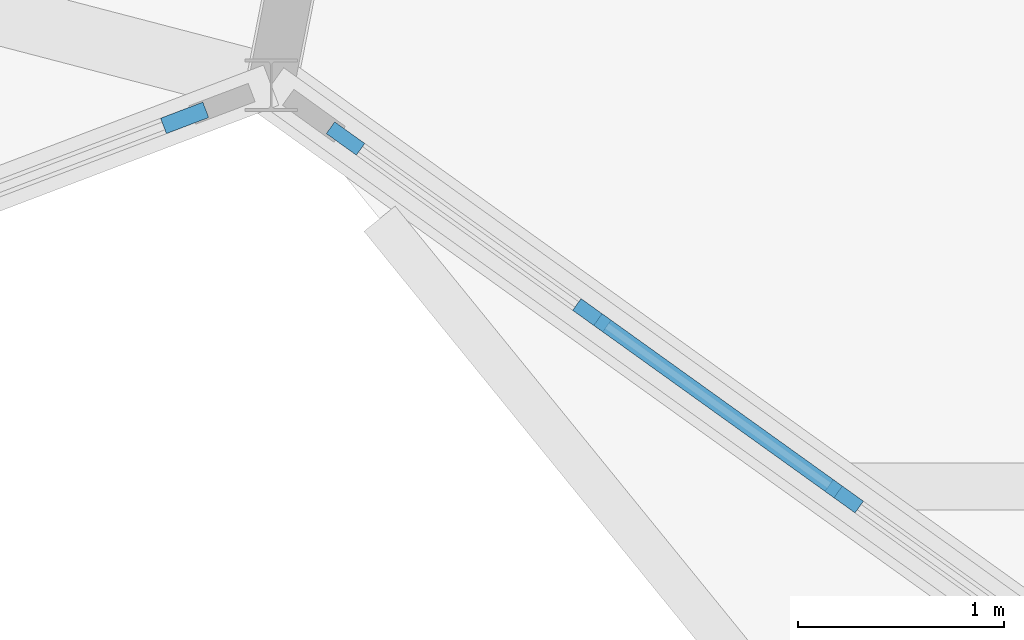
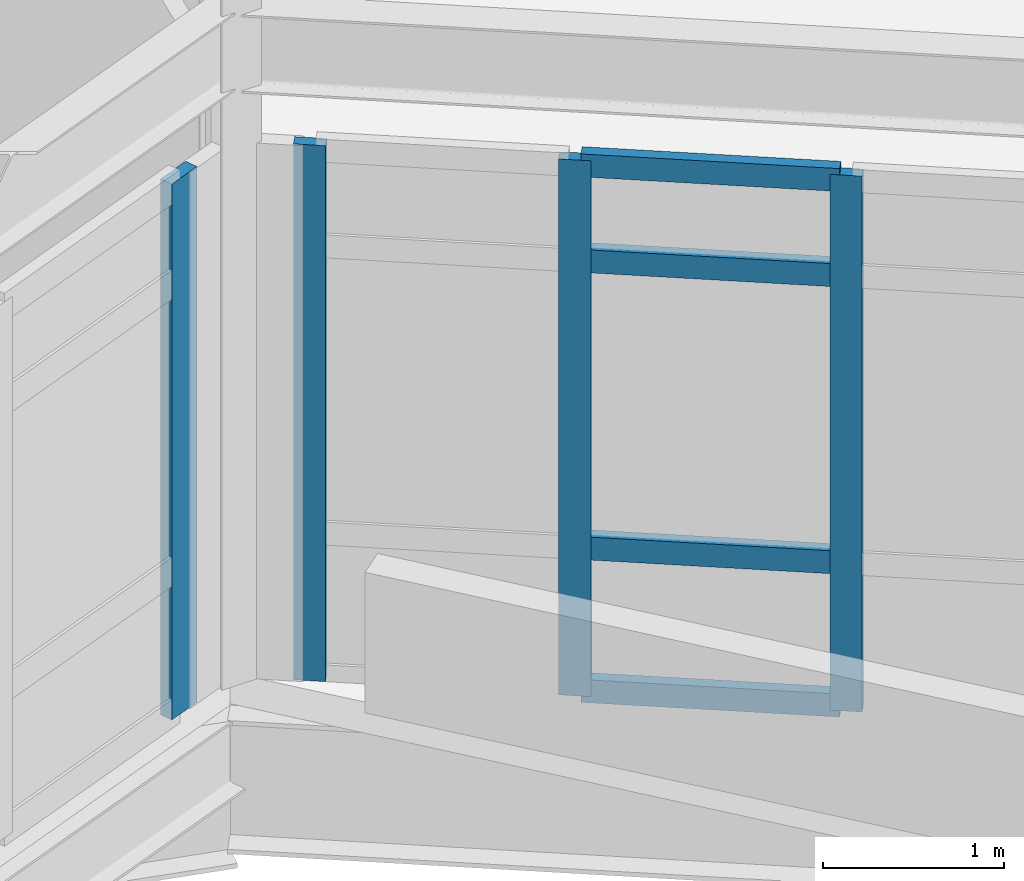
# One storey, part 22 of 76: 8 members, 2 elements without a shape of their own.
"""IFC4 building model written with IfcOpenShell, lengths in metres."""

from ifc_helpers import new_model, si_unit, direction, frame, origin, origin_2d, place, context, subcontext, project, spatial, rectangle, extrude, material, material_profile, profile_set, type_object, element, aggregate, save


model = new_model("IFC4")

# Units and contexts
model_context = context("Model", 3, precision=1e-05, world=origin(), true_north=direction((0.0, 1.0)))
body_context = subcontext(model_context, "Body", "Model", "MODEL_VIEW")
ifc_project = project(units=[si_unit("LENGTHUNIT", "METRE"), si_unit("AREAUNIT", "SQUARE_METRE"), si_unit("VOLUMEUNIT", "CUBIC_METRE"), si_unit("PLANEANGLEUNIT", "RADIAN"), si_unit("MASSUNIT", "GRAM", prefix="KILO")], contexts=[model_context])

# Site, building, storey
site_placement = place(None, origin())
site = spatial("IfcSite", under=ifc_project, at=site_placement, CompositionType="ELEMENT")
building_placement = place(site_placement, origin())
building = spatial("IfcBuilding", under=site, at=building_placement, Name="Tameran Prism Museum", CompositionType="ELEMENT")
storey_placement = place(building_placement, frame((0.0, 0.0, 15.0)))
storey = spatial("IfcBuildingStorey", under=building, at=storey_placement, Name="L03", CompositionType="ELEMENT", Elevation=15.0)

# Curtain wall, members
ifc_material_1 = material(Name="Anodised Aluminium 6063-T6 and Cyclone Solar Glass", Category="aluminium")
curtain_wall_type_1 = type_object("IfcCurtainWallType", Name="CW-FAC-1056x362", PredefinedType="USERDEFINED", material=ifc_material_1)
curtain_wall_1_placement = place(storey_placement, origin())
curtain_wall_1 = element("IfcCurtainWall", 1, at=curtain_wall_1_placement, inside=storey, type_object=curtain_wall_type_1, Name="Unitised Curtain Wall CW-148", ObjectType="UNITISED CURTAIN WALL", PredefinedType="USERDEFINED")
ifc_material_2 = material(Name="Anodised Aluminium Alloy 6063-T6", Category="aluminium")
ifc_material_profile_1 = material_profile(ifc_material_2, rectangle(XDim=0.070068359375, YDim=0.179931640625, at=origin_2d()))
ifc_profile_set_1 = profile_set([ifc_material_profile_1])
member_type_1 = type_object("IfcMemberType", Name="CW-MUL-B", PredefinedType="MULLION", material=ifc_profile_set_1)
member_1_placement = place(storey_placement, frame((123.4853515625, 20.3017578125, 0.0), z_axis=(0.0, 0.0, 1.0), x_axis=(-0.582884776259, -0.812554821293, 0.0)))
member_1 = element("IfcMember", 2, at=member_1_placement, type_object=member_type_1, Name="CW-148 mullion 6", PredefinedType="MULLION", context=body_context, shape_type="SweptSolid", body=[
    extrude(rectangle(XDim=0.070068359375, YDim=0.179931640625, at=origin_2d()), origin(), (0.0, 0.0, 1.0), 3.6201171875),
])
member_2_placement = place(storey_placement, frame((122.259033203125, 21.181396484375, 0.0), z_axis=(0.0, 0.0, 1.0), x_axis=(-0.582884776259, -0.812554821293, 0.0)))
member_2 = element("IfcMember", 3, at=member_2_placement, type_object=member_type_1, Name="CW-148 mullion 7", PredefinedType="MULLION", context=body_context, shape_type="SweptSolid", body=[
    extrude(rectangle(XDim=0.070068359375, YDim=0.179931640625, at=origin_2d()), origin(), (0.0, 0.0, 1.0), 3.6201171875),
])
member_3_placement = place(storey_placement, frame((121.0615234375, 22.04052734375, 0.0), z_axis=(0.0, 0.0, 1.0), x_axis=(-0.582884776259, -0.812554821293, 0.0)))
member_3 = element("IfcMember", 4, at=member_3_placement, type_object=member_type_1, Name="CW-148 mullion 8", PredefinedType="MULLION", context=body_context, shape_type="SweptSolid", body=[
    extrude(rectangle(XDim=0.070068359375, YDim=0.179931640625, at=origin_2d()), origin(), (0.0, 0.0, 1.0), 3.6201171875),
])

# Curtain wall, member
ifc_material_3 = material(Name="Anodised Aluminium 6063-T6 and Cyclone Solar Glass", Category="aluminium")
curtain_wall_type_2 = type_object("IfcCurtainWallType", Name="CW-FAC-994x362", PredefinedType="USERDEFINED", material=ifc_material_3)
curtain_wall_2_placement = place(storey_placement, origin())
curtain_wall_2 = element("IfcCurtainWall", 5, at=curtain_wall_2_placement, inside=storey, type_object=curtain_wall_type_2, Name="Unitised Curtain Wall CW-146", ObjectType="UNITISED CURTAIN WALL", PredefinedType="USERDEFINED")
ifc_material_4 = material(Name="Anodised Aluminium Alloy 6063-T6", Category="aluminium")
ifc_material_profile_2 = material_profile(ifc_material_4, rectangle(XDim=0.080078125, YDim=0.219970703125, at=origin_2d()))
ifc_profile_set_2 = profile_set([ifc_material_profile_2])
member_type_2 = type_object("IfcMemberType", Name="CW-MUL-D", PredefinedType="MULLION", material=ifc_profile_set_2)
member_4_placement = place(storey_placement, frame((120.279541015625, 22.140869140625, 0.0), z_axis=(0.0, 0.0, 1.0), x_axis=(0.355288098442, -0.934756849189, 0.0)))
member_4 = element("IfcMember", 6, at=member_4_placement, type_object=member_type_2, Name="CW-146 mullion 1", PredefinedType="MULLION", context=body_context, shape_type="SweptSolid", body=[
    extrude(rectangle(XDim=0.080078125, YDim=0.219970703125, at=origin_2d()), origin(), (0.0, 0.0, 1.0), 3.6201171875),
])
aggregate(curtain_wall_2, [member_4])

# Member
ifc_material_5 = material(Name="Anodised Aluminium Alloy 6063-T6", Category="aluminium")
ifc_material_profile_3 = material_profile(ifc_material_5, rectangle(XDim=0.070068359375, YDim=0.155029296875, at=origin_2d()))
ifc_profile_set_3 = profile_set([ifc_material_profile_3])
member_type_3 = type_object("IfcMemberType", Name="CW-TRN-B", PredefinedType="USERDEFINED", material=ifc_profile_set_3)
member_5_placement = place(storey_placement, frame((123.456787109375, 20.322265625, 0.034912109375), z_axis=(-0.812505058281, 0.582954140792, 0.0), x_axis=(-0.582954140792, -0.812505058281, 0.0)))
member_5 = element("IfcMember", 7, at=member_5_placement, type_object=member_type_3, Name="CW-148 transom 6.1", ObjectType="TRANSOM", PredefinedType="USERDEFINED", context=body_context, shape_type="SweptSolid", body=[
    extrude(rectangle(XDim=0.070068359375, YDim=0.155029296875, at=origin_2d()), origin(), (0.0, 0.0, 1.0), 1.43896484375),
])

member_6_placement = place(storey_placement, frame((123.456787109375, 20.322265625, 1.0), z_axis=(-0.812505058281, 0.582954140792, 0.0), x_axis=(-0.582954140792, -0.812505058281, 0.0)))
member_6 = element("IfcMember", 8, at=member_6_placement, type_object=member_type_3, Name="CW-148 transom 6.2", ObjectType="TRANSOM", PredefinedType="USERDEFINED", context=body_context, shape_type="SweptSolid", body=[
    extrude(rectangle(XDim=0.070068359375, YDim=0.155029296875, at=origin_2d()), origin(), (0.0, 0.0, 1.0), 1.43896484375),
])

member_7_placement = place(storey_placement, frame((123.456787109375, 20.322265625, 2.93994140625), z_axis=(-0.812505058281, 0.582954140792, 0.0), x_axis=(-0.582954140792, -0.812505058281, 0.0)))
member_7 = element("IfcMember", 9, at=member_7_placement, type_object=member_type_3, Name="CW-148 transom 6.3", ObjectType="TRANSOM", PredefinedType="USERDEFINED", context=body_context, shape_type="SweptSolid", body=[
    extrude(rectangle(XDim=0.070068359375, YDim=0.155029296875, at=origin_2d()), origin(), (0.0, 0.0, 1.0), 1.43896484375),
])

member_8_placement = place(storey_placement, frame((123.456787109375, 20.322265625, 3.5849609375), z_axis=(-0.812505058281, 0.582954140792, 0.0), x_axis=(-0.582954140792, -0.812505058281, 0.0)))
member_8 = element("IfcMember", 10, at=member_8_placement, type_object=member_type_3, Name="CW-148 transom 6.4", ObjectType="TRANSOM", PredefinedType="USERDEFINED", context=body_context, shape_type="SweptSolid", body=[
    extrude(rectangle(XDim=0.070068359375, YDim=0.155029296875, at=origin_2d()), origin(), (0.0, 0.0, 1.0), 1.43896484375),
])

aggregate(curtain_wall_1, [member_1, member_2, member_3, member_5, member_6, member_7, member_8])

save(model, "model.ifc")
